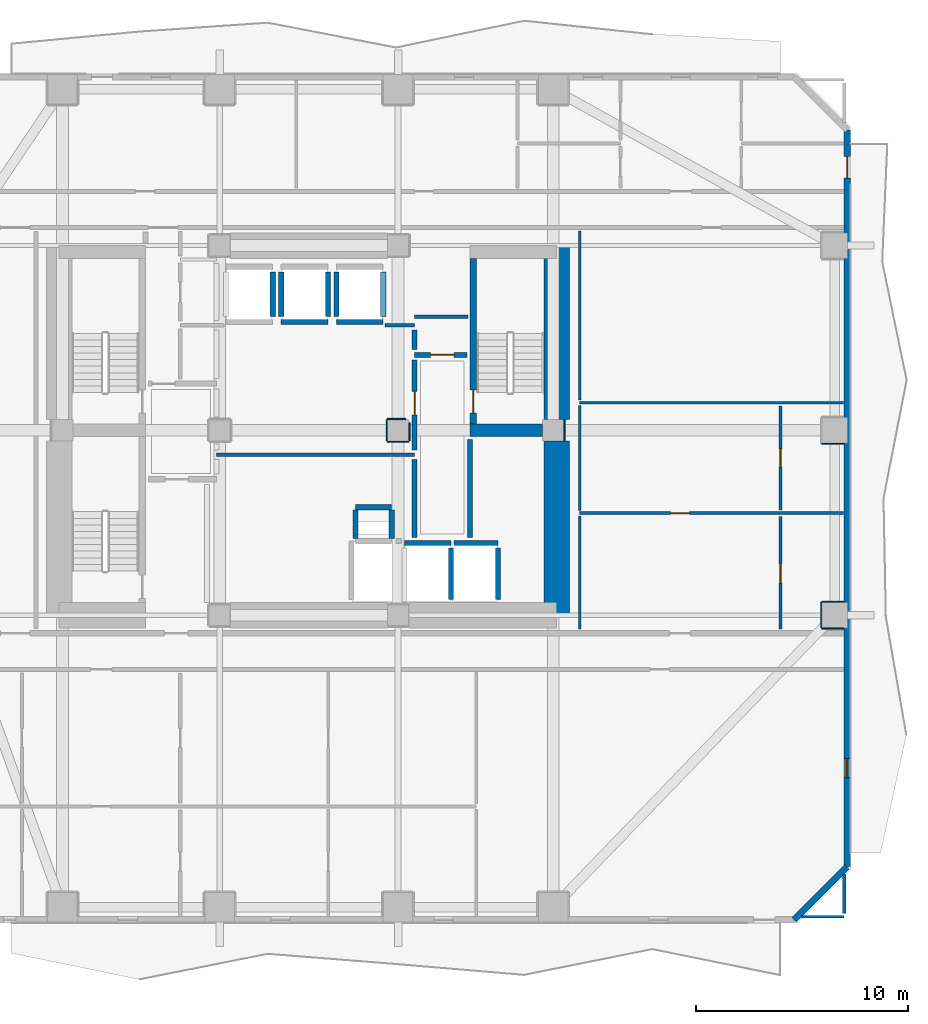
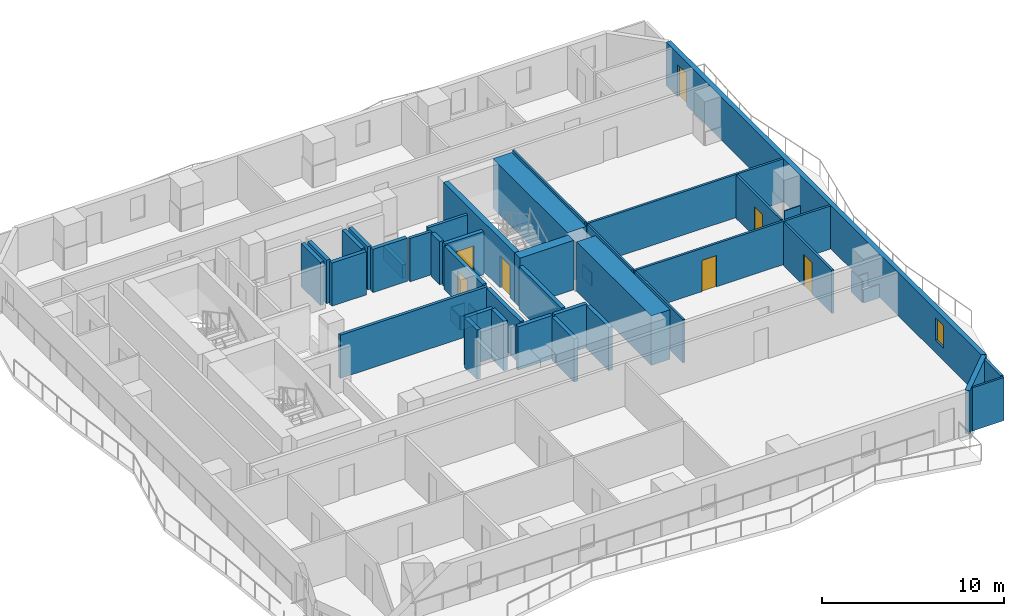
# One storey, part 4 of 9: 46 walls, 7 doors, 1 window, 8 openings.
"""IFC4 building model written with IfcOpenShell, lengths in metres."""

from ifc_helpers import new_model, si_unit, direction, frame, frame_2d, origin, place, context, subcontext, project, spatial, rectangle, extrude, material, layer, layer_set, type_object, element, fill, save


model = new_model("IFC4")

# Units and contexts
model_context = context("Model", 3, precision=1e-05, world=origin(), true_north=direction((0.0, 1.0)))
body_context = subcontext(model_context, "Body", "Model", "MODEL_VIEW")
ifc_project = project(units=[si_unit("LENGTHUNIT", "METRE"), si_unit("AREAUNIT", "SQUARE_METRE"), si_unit("VOLUMEUNIT", "CUBIC_METRE"), si_unit("PLANEANGLEUNIT", "RADIAN"), si_unit("MASSUNIT", "GRAM", prefix="KILO")], contexts=[model_context])

# Site, building, storey
site_placement = place(None, origin())
site = spatial("IfcSite", under=ifc_project, at=site_placement, CompositionType="ELEMENT")
building_placement = place(site_placement, origin())
building = spatial("IfcBuilding", under=site, at=building_placement, Name="Solanera Arch Residences", CompositionType="ELEMENT")
storey_placement = place(building_placement, frame((0.0, 0.0, 58.52001953125)))
storey = spatial("IfcBuildingStorey", under=building, at=storey_placement, Name="L16", CompositionType="ELEMENT", Elevation=58.52001953125)

# Walls
ifc_material_1 = material(Name="Fire-Rated Gypsum Stud Partition", Category="gypsum")
ifc_layer_1 = layer(ifc_material_1, 0.06005859375)
ifc_layer_set_1 = layer_set([ifc_layer_1], Name="Fire-Rated Gypsum Stud Partition")
wall_type_1 = type_object("IfcWallType", Name="Column Acoustic Furring Wall 60", PredefinedType="PARTITIONING", material=ifc_layer_set_1)
wall_1_placement = place(storey_placement, frame((37.031982421875, 30.2099609375, 0.0), z_axis=(0.0, 0.0, 1.0), x_axis=(0.0, 1.0, 0.0)))
element("IfcWall", 1, at=wall_1_placement, inside=storey, type_object=wall_type_1, Name="L16 Column Furring 6E", PredefinedType="PARTITIONING", context=body_context, shape_type="SweptSolid", body=[
    extrude(rectangle(XDim=0.97998046875, YDim=0.06005859375, at=frame_2d((0.489990234375, 0.0))), origin(), (0.0, 0.0, 1.0), 0.905029296875),
])
wall_2_placement = place(storey_placement, frame((28.699951171875, 30.16796875, 0.0), z_axis=(0.0, 0.0, 1.0), x_axis=(1.0, 0.0, 0.0)))
element("IfcWall", 2, at=wall_2_placement, inside=storey, type_object=wall_type_1, Name="L16 Column Furring 8S", PredefinedType="PARTITIONING", context=body_context, shape_type="SweptSolid", body=[
    extrude(rectangle(XDim=1.0, YDim=0.06005859375, at=frame_2d((0.5, 0.0))), origin(), (0.0, 0.0, 1.0), 0.905029296875),
])
wall_3_placement = place(storey_placement, frame((28.699951171875, 31.23193359375, 0.0), z_axis=(0.0, 0.0, 1.0), x_axis=(1.0, 0.0, 0.0)))
element("IfcWall", 3, at=wall_3_placement, inside=storey, type_object=wall_type_1, Name="L16 Column Furring 8N", PredefinedType="PARTITIONING", context=body_context, shape_type="SweptSolid", body=[
    extrude(rectangle(XDim=0.87109375, YDim=0.06005859375, at=frame_2d((0.435546875, 0.0))), origin(), (0.0, 0.0, 1.0), 0.905029296875),
])
wall_4_placement = place(storey_placement, frame((28.66796875, 30.199951171875, 0.0), z_axis=(0.0, 0.0, 1.0), x_axis=(0.0, 1.0, 0.0)))
element("IfcWall", 4, at=wall_4_placement, inside=storey, type_object=wall_type_1, Name="L16 Column Furring 8W", PredefinedType="PARTITIONING", context=body_context, shape_type="SweptSolid", body=[
    extrude(rectangle(XDim=1.0, YDim=0.06005859375, at=frame_2d((0.5, 0.0))), origin(), (0.0, 0.0, 1.0), 0.905029296875),
])
wall_5_placement = place(storey_placement, frame((29.73193359375, 30.199951171875, 0.0), z_axis=(0.0, 0.0, 1.0), x_axis=(0.0, 1.0, 0.0)))
element("IfcWall", 5, at=wall_5_placement, inside=storey, type_object=wall_type_1, Name="L16 Column Furring 8E", PredefinedType="PARTITIONING", context=body_context, shape_type="SweptSolid", body=[
    extrude(rectangle(XDim=0.85205078125, YDim=0.06005859375, at=frame_2d((0.426025390625, 0.0))), origin(), (0.0, 0.0, 1.0), 0.905029296875),
])
for number, where, z_axis, x_axis, name in (
    (6, (49.14990234375, 21.367919921875, 0.0), (0.0, 0.0, 1.0), (1.0, 0.0, 0.0), "L16 Column Furring 18S"),
    (7, (49.14990234375, 22.632080078125, 0.0), (0.0, 0.0, 1.0), (1.0, 0.0, 0.0), "L16 Column Furring 18N"),
):
    element("IfcWall", number, at=place(storey_placement, frame(where, z_axis=z_axis, x_axis=x_axis)), inside=storey, type_object=wall_type_1, Name=name, PredefinedType="PARTITIONING", context=body_context, shape_type="SweptSolid", body=[
        extrude(rectangle(XDim=1.02001953125, YDim=0.06005859375, at=frame_2d((0.510009765625, 0.0))), origin(), (0.0, 0.0, 1.0), 0.905029296875),
    ])
wall_6_placement = place(storey_placement, frame((49.117919921875, 21.39990234375, 0.0), z_axis=(0.0, 0.0, 1.0), x_axis=(0.0, 1.0, 0.0)))
element("IfcWall", 8, at=wall_6_placement, inside=storey, type_object=wall_type_1, Name="L16 Column Furring 18W", PredefinedType="PARTITIONING", context=body_context, shape_type="SweptSolid", body=[
    extrude(rectangle(XDim=1.2001953125, YDim=0.06005859375, at=frame_2d((0.60009765625, 0.0))), origin(), (0.0, 0.0, 1.0), 1.449951171875),
])
wall_7_placement = place(storey_placement, frame((49.14990234375, 30.068115234375, 0.0), z_axis=(0.0, 0.0, 1.0), x_axis=(1.0, 0.0, 0.0)))
element("IfcWall", 9, at=wall_7_placement, inside=storey, type_object=wall_type_1, Name="L16 Column Furring 20S", PredefinedType="PARTITIONING", context=body_context, shape_type="SweptSolid", body=[
    extrude(rectangle(XDim=1.02001953125, YDim=0.06005859375, at=frame_2d((0.510009765625, 0.0))), origin(), (0.0, 0.0, 1.0), 0.905029296875),
])
ifc_material_2 = material(Name="Concrete C55/67 (f'c = 60 MPa)", Category="concrete")
ifc_layer_2 = layer(ifc_material_2, 1.199951171875)
ifc_layer_set_2 = layer_set([ifc_layer_2], Name="Concrete C55/67 (f'c = 60 MPa)")
wall_type_2 = type_object("IfcWallType", Name="Core Shear Wall CW-1200", PredefinedType="SHEAR", material=ifc_layer_set_2)
wall_8_placement = place(storey_placement, frame((36.659912109375, 22.0, 0.0), z_axis=(0.0, 0.0, 1.0), x_axis=(0.0, 1.0, 0.0)))
element("IfcWall", 10, at=wall_8_placement, inside=storey, type_object=wall_type_2, Name="L16 East Core South Shear Wall", PredefinedType="SHEAR", context=body_context, shape_type="SweptSolid", body=[
    extrude(rectangle(XDim=8.195068359375, YDim=1.199951171875, at=frame_2d((4.09765625, 0.0))), origin(), (0.0, 0.0, 1.0), 3.320068359375),
])
wall_9_placement = place(storey_placement, frame((36.659912109375, 31.205078125, 0.0), z_axis=(0.0, 0.0, 1.0), x_axis=(0.0, 1.0, 0.0)))
element("IfcWall", 11, at=wall_9_placement, inside=storey, type_object=wall_type_2, Name="L16 East Core North Shear Wall", PredefinedType="SHEAR", context=body_context, shape_type="SweptSolid", body=[
    extrude(rectangle(XDim=8.19482421875, YDim=1.199951171875, at=frame_2d((4.097412109375, 0.0))), origin(), (0.0, 0.0, 1.0), 3.320068359375),
])

# Wall, opening, door
ifc_material_3 = material(Name="Concrete C40/50 (f'c = 45 MPa)", Category="concrete")
ifc_layer_3 = layer(ifc_material_3, 0.320068359375)
ifc_layer_set_3 = layer_set([ifc_layer_3], Name="Concrete C40/50 (f'c = 45 MPa)")
wall_type_3 = type_object("IfcWallType", Name="Core Shear Wall CW-320", PredefinedType="SHEAR", material=ifc_layer_set_3)
wall_10_placement = place(storey_placement, frame((32.739990234375, 31.0, 0.0), z_axis=(0.0, 0.0, 1.0), x_axis=(0.0, 1.0, 0.0)))
wall_10 = element("IfcWall", 12, at=wall_10_placement, inside=storey, type_object=wall_type_3, Name="L16 Stair ST-T2 West Shear Wall", PredefinedType="SHEAR", context=body_context, shape_type="SweptSolid", body=[
    extrude(rectangle(XDim=7.800048828125, YDim=0.320068359375, at=frame_2d((3.89990234375, 0.0))), origin(), (0.0, 0.0, 1.0), 3.320068359375),
])
opening_1_placement = place(wall_10_placement, frame((0.510009765625, 0.0, 0.0)))
opening_1 = element("IfcOpeningElement", 13, at=opening_1_placement, cuts=wall_10, Name="Opening DF-01", PredefinedType="OPENING", context=body_context, shape_type="SweptSolid", body=[
    extrude(rectangle(XDim=1.10009765625, YDim=2.14990234375, at=frame_2d((0.550048828125, 1.074951171875))), frame((0.0, 0.169921875, 0.0), z_axis=(0.0, -1.0, 0.0), x_axis=(1.0, 0.0, 0.0)), (0.0, 0.0, 1.0), 0.3401),
])
ifc_material_4 = material(Name="Fire-Rated Architectural Hardwood", Category="wood")
door_type_1 = type_object("IfcDoorType", Name="Stair Exit Fire Door DF-01", OperationType="NOTDEFINED", PredefinedType="DOOR", material=ifc_material_4)
door_1_placement = place(opening_1_placement, origin())
door_1 = element("IfcDoor", 14, at=door_1_placement, inside=storey, type_object=door_type_1, Name="DR-L16-STAIR-ST-T2", OperationType="SINGLE_SWING_LEFT", OverallHeight=2.14990234375, OverallWidth=1.10009765625, PredefinedType="DOOR", context=body_context, shape_type="SweptSolid", body=[
    extrude(rectangle(XDim=1.10009765625, YDim=2.14990234375, at=frame_2d((0.550048828125, 1.074951171875))), frame((0.0, 0.02490234375, 0.0), z_axis=(0.0, -1.0, 0.0), x_axis=(1.0, 0.0, 0.0)), (0.0, 0.0, 1.0), 0.050048828125),
])
fill(opening_1, door_1)

# Walls
ifc_material_5 = material(Name="Concrete C40/50 (f'c = 45 MPa)", Category="concrete")
ifc_layer_4 = layer(ifc_material_5, 0.60009765625)
ifc_layer_set_4 = layer_set([ifc_layer_4], Name="Concrete C40/50 (f'c = 45 MPa)")
wall_type_4 = type_object("IfcWallType", Name="Core Shear Wall CW-600", PredefinedType="SHEAR", material=ifc_layer_set_4)
wall_11_placement = place(storey_placement, frame((32.580078125, 30.699951171875, 0.0), z_axis=(0.0, 0.0, 1.0), x_axis=(1.0, 0.0, 0.0)))
element("IfcWall", 15, at=wall_11_placement, inside=storey, type_object=wall_type_4, Name="L16 East Stair Far-Landing Shear Wall", PredefinedType="SHEAR", context=body_context, shape_type="SweptSolid", body=[
    extrude(rectangle(XDim=3.4150390625, YDim=0.60009765625, at=frame_2d((1.70751953125, 0.0))), origin(), (0.0, 0.0, 1.0), 3.320068359375),
])
ifc_material_6 = material(Name="Autoclaved Aerated Concrete Blockwork", Category="masonry")
ifc_layer_5 = layer(ifc_material_6, 0.179931640625)
ifc_layer_set_5 = layer_set([ifc_layer_5], Name="Autoclaved Aerated Concrete Blockwork")
wall_type_5 = type_object("IfcWallType", Name="Corridor Fire Partition 180", PredefinedType="PARTITIONING", material=ifc_layer_set_5)
wall_12_placement = place(storey_placement, frame((20.64990234375, 29.550048828125, 0.0), z_axis=(0.0, 0.0, 1.0), x_axis=(1.0, 0.0, 0.0)))
element("IfcWall", 16, at=wall_12_placement, inside=storey, type_object=wall_type_5, Name="L16 Interior Partition H7", PredefinedType="PARTITIONING", context=body_context, shape_type="SweptSolid", body=[
    extrude(rectangle(XDim=9.3251953125, YDim=0.179931640625, at=frame_2d((4.66259765625, 0.0))), origin(), (0.0, 0.0, 1.0), 2.89990234375),
])
wall_13_placement = place(storey_placement, frame((28.593017578125, 35.64990234375, 0.0), z_axis=(0.0, 0.0, 1.0), x_axis=(1.0, 0.0, 0.0)))
element("IfcWall", 17, at=wall_13_placement, inside=storey, type_object=wall_type_5, Name="L16 Interior Partition H8 2", PredefinedType="PARTITIONING", context=body_context, shape_type="SweptSolid", body=[
    extrude(rectangle(XDim=1.382080078125, YDim=0.179931640625, at=frame_2d((0.69091796875, 0.0))), origin(), (0.0, 0.0, 1.0), 2.89990234375),
])
wall_14_placement = place(storey_placement, frame((29.97509765625, 36.050048828125, 0.0), z_axis=(0.0, 0.0, 1.0), x_axis=(1.0, 0.0, 0.0)))
element("IfcWall", 18, at=wall_14_placement, inside=storey, type_object=wall_type_5, Name="L16 Interior Partition H9", PredefinedType="PARTITIONING", context=body_context, shape_type="SweptSolid", body=[
    extrude(rectangle(XDim=2.5048828125, YDim=0.179931640625, at=frame_2d((1.25244140625, 0.0))), origin(), (0.0, 0.0, 1.0), 2.89990234375),
])
wall_15_placement = place(storey_placement, frame((50.199951171875, 7.9580078125, 0.0), z_axis=(0.0, 0.0, 1.0), x_axis=(0.0, 1.0, 0.0)))
element("IfcWall", 19, at=wall_15_placement, inside=storey, type_object=wall_type_5, Name="L16 Interior Partition V10 1", PredefinedType="PARTITIONING", context=body_context, shape_type="SweptSolid", body=[
    extrude(rectangle(XDim=1.843017578125, YDim=0.179931640625, at=frame_2d((0.92138671875, 0.0))), origin(), (0.0, 0.0, 1.0), 2.89990234375),
])

# Wall, openings, door, window
ifc_material_7 = material(Name="Precast Concrete C35/45", Category="concrete")
ifc_layer_6 = layer(ifc_material_7, 0.300048828125)
ifc_layer_set_6 = layer_set([ifc_layer_6], Name="Precast Concrete C35/45")
wall_type_6 = type_object("IfcWallType", Name="Exterior Wall Precast Masonry-Frame 300", PredefinedType="STANDARD", material=ifc_layer_set_6)
wall_16_placement = place(storey_placement, frame((50.3349609375, 44.8349609375, 0.0), z_axis=(0.0, 0.0, 1.0), x_axis=(0.0, -1.0, 0.0)))
wall_16 = element("IfcWall", 20, at=wall_16_placement, inside=storey, type_object=wall_type_6, Name="L16 Tower Exterior Precast Masonry-Frame Wall E", PredefinedType="STANDARD", context=body_context, shape_type="SweptSolid", body=[
    extrude(rectangle(XDim=34.669921875, YDim=0.300048828125, at=frame_2d((17.3349609375, 0.0))), origin(), (0.0, 0.0, 1.0), 2.89990234375),
])
opening_2_placement = place(wall_16_placement, frame((1.2509765625, 0.0, 0.0)))
opening_2 = element("IfcOpeningElement", 21, at=opening_2_placement, cuts=wall_16, Name="Opening DB-01", PredefinedType="OPENING", context=body_context, shape_type="SweptSolid", body=[
    extrude(rectangle(XDim=1.0, YDim=2.14990234375, at=frame_2d((0.5, 1.074951171875))), frame((0.0, 0.159912109375, 0.0), z_axis=(0.0, -1.0, 0.0), x_axis=(1.0, 0.0, 0.0)), (0.0, 0.0, 1.0), 0.32),
])
opening_3_placement = place(wall_16_placement, frame((29.58203125, 0.0, 0.85009765625)))
opening_3 = element("IfcOpeningElement", 22, at=opening_3_placement, cuts=wall_16, Name="Opening W-06", PredefinedType="OPENING", context=body_context, shape_type="SweptSolid", body=[
    extrude(rectangle(XDim=0.89990234375, YDim=1.5, at=frame_2d((0.449951171875, 0.75))), frame((0.0, 0.159912109375, 0.0), z_axis=(0.0, -1.0, 0.0), x_axis=(1.0, 0.0, 0.0)), (0.0, 0.0, 1.0), 0.32),
])
ifc_material_8 = material(Name="Anodised Aluminium Alloy 6063-T6", Category="aluminium")
door_type_2 = type_object("IfcDoorType", Name="Glazed Balcony Swing Door DB-01", OperationType="NOTDEFINED", PredefinedType="DOOR", material=ifc_material_8)
door_2_placement = place(opening_2_placement, origin())
door_2 = element("IfcDoor", 23, at=door_2_placement, inside=storey, type_object=door_type_2, Name="DR-L16-OUT-03", OperationType="SINGLE_SWING_RIGHT", OverallHeight=2.14990234375, OverallWidth=1.0, PredefinedType="DOOR", context=body_context, shape_type="SweptSolid", body=[
    extrude(rectangle(XDim=1.0, YDim=2.14990234375, at=frame_2d((0.5, 1.074951171875))), frame((0.0, 0.02490234375, 0.0), z_axis=(0.0, -1.0, 0.0), x_axis=(1.0, 0.0, 0.0)), (0.0, 0.0, 1.0), 0.050048828125),
])
fill(opening_2, door_2)
ifc_material_9 = material(Name="Double Glazed Low-E Laminated Glass", Category="glass")
window_type = type_object("IfcWindowType", Name="Punched Window W-06", PartitioningType="SINGLE_PANEL", PredefinedType="WINDOW", material=ifc_material_9)
window_placement = place(opening_3_placement, origin())
window = element("IfcWindow", 24, at=window_placement, inside=storey, type_object=window_type, Name="L16 AMN-LNG Punched Window", OverallHeight=1.5, OverallWidth=0.89990234375, PartitioningType="SINGLE_PANEL", PredefinedType="WINDOW", context=body_context, shape_type="SweptSolid", body=[
    extrude(rectangle(XDim=0.89990234375, YDim=1.5, at=frame_2d((0.449951171875, 0.75))), frame((0.0, 0.030029296875, 0.0), z_axis=(0.0, -1.0, 0.0), x_axis=(1.0, 0.0, 0.0)), (0.0, 0.0, 1.0), 0.06005859375),
])
fill(opening_3, window)

# Walls
wall_17_placement = place(storey_placement, frame((50.3349609375, 10.1650390625, 0.0), z_axis=(0.0, 0.0, 1.0), x_axis=(-0.707106781187, -0.707106781187, 0.0)))
element("IfcWall", 25, at=wall_17_placement, inside=storey, type_object=wall_type_6, Name="L16 Tower Exterior Precast Masonry-Frame Wall CH5", PredefinedType="STANDARD", context=body_context, shape_type="SweptSolid", body=[
    extrude(rectangle(XDim=3.53564453125, YDim=0.300048828125, at=frame_2d((1.767822265625, 0.0))), origin(), (0.0, 0.0, 1.0), 2.89990234375),
])
ifc_material_10 = material(Name="Concrete C40/50 (f'c = 45 MPa)", Category="concrete")
ifc_layer_7 = layer(ifc_material_10, 0.239990234375)
ifc_layer_set_7 = layer_set([ifc_layer_7], Name="Concrete C40/50 (f'c = 45 MPa)")
wall_type_7 = type_object("IfcWallType", Name="Ramp Bearing Shear Wall RW-240", PredefinedType="SHEAR", material=ifc_layer_set_7)
wall_18_placement = place(storey_placement, frame((27.199951171875, 27.080078125, 0.0), z_axis=(0.0, 0.0, 1.0), x_axis=(1.0, 0.0, 0.0)))
element("IfcWall", 26, at=wall_18_placement, inside=storey, type_object=wall_type_7, Name="L16 Core MEP Riser North Shaft Wall", PredefinedType="SHEAR", context=body_context, shape_type="SweptSolid", body=[
    extrude(rectangle(XDim=1.699951171875, YDim=0.239990234375, at=frame_2d((0.85009765625, 0.0))), origin(), (0.0, 0.0, 1.0), 3.320068359375),
])
for number, where, z_axis, x_axis, name in (
    (27, (27.199951171875, 25.60009765625, 0.0), (0.0, 0.0, 1.0), (0.0, 1.0, 0.0), "L16 Core MEP Riser West Shaft Wall"),
    (28, (28.89990234375, 25.60009765625, 0.0), (0.0, 0.0, 1.0), (0.0, 1.0, 0.0), "L16 Core MEP Riser East Shaft Wall"),
):
    element("IfcWall", number, at=place(storey_placement, frame(where, z_axis=z_axis, x_axis=x_axis)), inside=storey, type_object=wall_type_7, Name=name, PredefinedType="SHEAR", context=body_context, shape_type="SweptSolid", body=[
        extrude(rectangle(XDim=1.35986328125, YDim=0.239990234375, at=frame_2d((0.679931640625, 0.0))), origin(), (0.0, 0.0, 1.0), 3.320068359375),
    ])
ifc_material_11 = material(Name="Autoclaved Aerated Concrete Blockwork", Category="masonry")
ifc_layer_8 = layer(ifc_material_11, 0.239990234375)
ifc_layer_set_8 = layer_set([ifc_layer_8], Name="Autoclaved Aerated Concrete Blockwork")
wall_type_8 = type_object("IfcWallType", Name="Shaft Wall Fire-Rated 240", PredefinedType="PARTITIONING", material=ifc_layer_set_8)
wall_19_placement = place(storey_placement, frame((23.300048828125, 36.048095703125, 0.0), z_axis=(0.0, 0.0, 1.0), x_axis=(0.0, 1.0, 0.0)))
element("IfcWall", 29, at=wall_19_placement, inside=storey, type_object=wall_type_8, Name="L16 Lift PL-L1 Hoistway Wall E", PredefinedType="PARTITIONING", context=body_context, shape_type="SweptSolid", body=[
    extrude(rectangle(XDim=2.10400390625, YDim=0.239990234375, at=frame_2d((1.052001953125, 0.0))), origin(), (0.0, 0.0, 1.0), 2.89990234375),
])
wall_20_placement = place(storey_placement, frame((23.699951171875, 35.800048828125, 0.0), z_axis=(0.0, 0.0, 1.0), x_axis=(1.0, 0.0, 0.0)))
element("IfcWall", 30, at=wall_20_placement, inside=storey, type_object=wall_type_8, Name="L16 Lift PL-L2 Hoistway Wall S", PredefinedType="PARTITIONING", context=body_context, shape_type="SweptSolid", body=[
    extrude(rectangle(XDim=2.199951171875, YDim=0.239990234375, at=frame_2d((1.10009765625, 0.0))), origin(), (0.0, 0.0, 1.0), 2.89990234375),
])
for number, where, z_axis, x_axis, name in (
    (31, (23.699951171875, 36.048095703125, 0.0), (0.0, 0.0, 1.0), (0.0, 1.0, 0.0), "L16 Lift PL-L2 Hoistway Wall W"),
    (32, (25.89990234375, 36.048095703125, 0.0), (0.0, 0.0, 1.0), (0.0, 1.0, 0.0), "L16 Lift PL-L2 Hoistway Wall E"),
):
    element("IfcWall", number, at=place(storey_placement, frame(where, z_axis=z_axis, x_axis=x_axis)), inside=storey, type_object=wall_type_8, Name=name, PredefinedType="PARTITIONING", context=body_context, shape_type="SweptSolid", body=[
        extrude(rectangle(XDim=2.10400390625, YDim=0.239990234375, at=frame_2d((1.052001953125, 0.0))), origin(), (0.0, 0.0, 1.0), 2.89990234375),
    ])
wall_21_placement = place(storey_placement, frame((26.300048828125, 35.800048828125, 0.0), z_axis=(0.0, 0.0, 1.0), x_axis=(1.0, 0.0, 0.0)))
element("IfcWall", 33, at=wall_21_placement, inside=storey, type_object=wall_type_8, Name="L16 Lift PL-L3 Hoistway Wall S", PredefinedType="PARTITIONING", context=body_context, shape_type="SweptSolid", body=[
    extrude(rectangle(XDim=2.199951171875, YDim=0.239990234375, at=frame_2d((1.10009765625, 0.0))), origin(), (0.0, 0.0, 1.0), 2.89990234375),
])
wall_22_placement = place(storey_placement, frame((26.300048828125, 36.048095703125, 0.0), z_axis=(0.0, 0.0, 1.0), x_axis=(0.0, 1.0, 0.0)))
element("IfcWall", 34, at=wall_22_placement, inside=storey, type_object=wall_type_8, Name="L16 Lift PL-L3 Hoistway Wall W", PredefinedType="PARTITIONING", context=body_context, shape_type="SweptSolid", body=[
    extrude(rectangle(XDim=2.10400390625, YDim=0.239990234375, at=frame_2d((1.052001953125, 0.0))), origin(), (0.0, 0.0, 1.0), 2.89990234375),
])
wall_23_placement = place(storey_placement, frame((28.5, 36.048095703125, 0.0), z_axis=(0.0, 0.0, 1.0), x_axis=(0.0, 1.0, 0.0)))
element("IfcWall", 35, at=wall_23_placement, inside=storey, type_object=wall_type_8, Name="L16 Lift PL-L3 Hoistway Wall E", PredefinedType="PARTITIONING", context=body_context, shape_type="SweptSolid", body=[
    extrude(rectangle(XDim=2.10400390625, YDim=0.239990234375, at=frame_2d((1.052001953125, 0.0))), origin(), (0.0, 0.0, 1.0), 0.905029296875),
])
wall_24_placement = place(storey_placement, frame((29.5, 25.39990234375, 0.0), z_axis=(0.0, 0.0, 1.0), x_axis=(1.0, 0.0, 0.0)))
element("IfcWall", 36, at=wall_24_placement, inside=storey, type_object=wall_type_8, Name="L16 Lift FFL-1 Hoistway Wall N", PredefinedType="PARTITIONING", context=body_context, shape_type="SweptSolid", body=[
    extrude(rectangle(XDim=2.199951171875, YDim=0.239990234375, at=frame_2d((1.10009765625, 0.0))), origin(), (0.0, 0.0, 1.0), 2.89990234375),
])
wall_25_placement = place(storey_placement, frame((31.699951171875, 22.72998046875, 0.0), z_axis=(0.0, 0.0, 1.0), x_axis=(0.0, 1.0, 0.0)))
element("IfcWall", 37, at=wall_25_placement, inside=storey, type_object=wall_type_8, Name="L16 Lift FFL-1 Hoistway Wall E", PredefinedType="PARTITIONING", context=body_context, shape_type="SweptSolid", body=[
    extrude(rectangle(XDim=2.422119140625, YDim=0.239990234375, at=frame_2d((1.2109375, 0.0))), origin(), (0.0, 0.0, 1.0), 2.89990234375),
])
wall_26_placement = place(storey_placement, frame((31.827880859375, 25.39990234375, 0.0), z_axis=(0.0, 0.0, 1.0), x_axis=(1.0, 0.0, 0.0)))
element("IfcWall", 38, at=wall_26_placement, inside=storey, type_object=wall_type_8, Name="L16 Lift FFL-2 Hoistway Wall N", PredefinedType="PARTITIONING", context=body_context, shape_type="SweptSolid", body=[
    extrude(rectangle(XDim=2.072021484375, YDim=0.239990234375, at=frame_2d((1.0361328125, 0.0))), origin(), (0.0, 0.0, 1.0), 2.89990234375),
])
wall_27_placement = place(storey_placement, frame((33.89990234375, 22.72998046875, 0.0), z_axis=(0.0, 0.0, 1.0), x_axis=(0.0, 1.0, 0.0)))
element("IfcWall", 39, at=wall_27_placement, inside=storey, type_object=wall_type_8, Name="L16 Lift FFL-2 Hoistway Wall E", PredefinedType="PARTITIONING", context=body_context, shape_type="SweptSolid", body=[
    extrude(rectangle(XDim=2.422119140625, YDim=0.239990234375, at=frame_2d((1.2109375, 0.0))), origin(), (0.0, 0.0, 1.0), 2.89990234375),
])

# Wall, opening, door
wall_28_placement = place(storey_placement, frame((29.97509765625, 34.25, 0.0), z_axis=(0.0, 0.0, 1.0), x_axis=(1.0, 0.0, 0.0)))
wall_28 = element("IfcWall", 40, at=wall_28_placement, inside=storey, type_object=wall_type_8, Name="L16 Interior Partition H5", PredefinedType="PARTITIONING", context=body_context, shape_type="SweptSolid", body=[
    extrude(rectangle(XDim=2.474853515625, YDim=0.239990234375, at=frame_2d((1.2373046875, 0.0))), origin(), (0.0, 0.0, 1.0), 2.89990234375),
])
opening_4_placement = place(wall_28_placement, frame((0.751953125, 0.0, 0.0)))
opening_4 = element("IfcOpeningElement", 41, at=opening_4_placement, cuts=wall_28, Name="Opening DF-02", PredefinedType="OPENING", context=body_context, shape_type="SweptSolid", body=[
    extrude(rectangle(XDim=1.10009765625, YDim=2.14990234375, at=frame_2d((0.550048828125, 1.074951171875))), frame((0.0, 0.1298828125, 0.0), z_axis=(0.0, -1.0, 0.0), x_axis=(1.0, 0.0, 0.0)), (0.0, 0.0, 1.0), 0.26),
])
ifc_material_12 = material(Name="Fire-Rated Architectural Hardwood", Category="wood")
door_type_3 = type_object("IfcDoorType", Name="Firefighting Lobby Fire Door DF-02", OperationType="NOTDEFINED", PredefinedType="DOOR", material=ifc_material_12)
door_3_placement = place(opening_4_placement, origin())
door_3 = element("IfcDoor", 42, at=door_3_placement, inside=storey, type_object=door_type_3, Name="DR-L16-IN-007", OperationType="SINGLE_SWING_RIGHT", OverallHeight=2.14990234375, OverallWidth=1.10009765625, PredefinedType="DOOR", context=body_context, shape_type="SweptSolid", body=[
    extrude(rectangle(XDim=1.10009765625, YDim=2.14990234375, at=frame_2d((0.550048828125, 1.074951171875))), frame((0.0, 0.02490234375, 0.0), z_axis=(0.0, -1.0, 0.0), x_axis=(1.0, 0.0, 0.0)), (0.0, 0.0, 1.0), 0.050048828125),
])
fill(opening_4, door_3)

# Wall
wall_29_placement = place(storey_placement, frame((29.97509765625, 25.64794921875, 0.0), z_axis=(0.0, 0.0, 1.0), x_axis=(0.0, 1.0, 0.0)))
element("IfcWall", 43, at=wall_29_placement, inside=storey, type_object=wall_type_8, Name="L16 Interior Partition V4 1", PredefinedType="PARTITIONING", context=body_context, shape_type="SweptSolid", body=[
    extrude(rectangle(XDim=3.68408203125, YDim=0.239990234375, at=frame_2d((1.842041015625, 0.0))), origin(), (0.0, 0.0, 1.0), 2.89990234375),
])

# Wall, opening, door
wall_30_placement = place(storey_placement, frame((29.97509765625, 29.76806640625, 0.0), z_axis=(0.0, 0.0, 1.0), x_axis=(0.0, 1.0, 0.0)))
wall_30 = element("IfcWall", 44, at=wall_30_placement, inside=storey, type_object=wall_type_8, Name="L16 Interior Partition V4 2", PredefinedType="PARTITIONING", context=body_context, shape_type="SweptSolid", body=[
    extrude(rectangle(XDim=4.23388671875, YDim=0.239990234375, at=frame_2d((2.116943359375, 0.0))), origin(), (0.0, 0.0, 1.0), 2.89990234375),
])
opening_5_placement = place(wall_30_placement, frame((1.662109375, 0.0, 0.0)))
opening_5 = element("IfcOpeningElement", 45, at=opening_5_placement, cuts=wall_30, Name="Opening DF-02", PredefinedType="OPENING", context=body_context, shape_type="SweptSolid", body=[
    extrude(rectangle(XDim=1.10009765625, YDim=2.14990234375, at=frame_2d((0.550048828125, 1.074951171875))), frame((0.0, 0.1298828125, 0.0), z_axis=(0.0, -1.0, 0.0), x_axis=(1.0, 0.0, 0.0)), (0.0, 0.0, 1.0), 0.26),
])
door_4_placement = place(opening_5_placement, origin())
door_4 = element("IfcDoor", 46, at=door_4_placement, inside=storey, type_object=door_type_3, Name="DR-L16-IN-006", OperationType="SINGLE_SWING_LEFT", OverallHeight=2.14990234375, OverallWidth=1.10009765625, PredefinedType="DOOR", context=body_context, shape_type="SweptSolid", body=[
    extrude(rectangle(XDim=1.10009765625, YDim=2.14990234375, at=frame_2d((0.550048828125, 1.074951171875))), frame((0.0, 0.02490234375, 0.0), z_axis=(0.0, -1.0, 0.0), x_axis=(1.0, 0.0, 0.0)), (0.0, 0.0, 1.0), 0.050048828125),
])
fill(opening_5, door_4)

# Walls
wall_31_placement = place(storey_placement, frame((29.97509765625, 34.498046875, 0.0), z_axis=(0.0, 0.0, 1.0), x_axis=(0.0, 1.0, 0.0)))
element("IfcWall", 47, at=wall_31_placement, inside=storey, type_object=wall_type_8, Name="L16 Interior Partition V4 3", PredefinedType="PARTITIONING", context=body_context, shape_type="SweptSolid", body=[
    extrude(rectangle(XDim=0.933837890625, YDim=0.239990234375, at=frame_2d((0.466796875, 0.0))), origin(), (0.0, 0.0, 1.0), 2.89990234375),
])
wall_32_placement = place(storey_placement, frame((32.580078125, 25.64794921875, 0.0), z_axis=(0.0, 0.0, 1.0), x_axis=(0.0, 1.0, 0.0)))
element("IfcWall", 48, at=wall_32_placement, inside=storey, type_object=wall_type_8, Name="L16 Interior Partition V5", PredefinedType="PARTITIONING", context=body_context, shape_type="SweptSolid", body=[
    extrude(rectangle(XDim=4.6220703125, YDim=0.239990234375, at=frame_2d((2.31103515625, 0.0))), origin(), (0.0, 0.0, 1.0), 2.89990234375),
])
ifc_material_13 = material(Name="Fire-Rated Gypsum Stud Partition", Category="gypsum")
ifc_layer_9 = layer(ifc_material_13, 0.1201171875)
ifc_layer_set_9 = layer_set([ifc_layer_9], Name="Fire-Rated Gypsum Stud Partition")
wall_type_9 = type_object("IfcWallType", Name="Unit Drywall Partition 120", PredefinedType="PARTITIONING", material=ifc_layer_set_9)
wall_33_placement = place(storey_placement, frame((48.198974609375, 7.800048828125, 0.0), z_axis=(0.0, 0.0, 1.0), x_axis=(1.0, 0.0, 0.0)))
element("IfcWall", 49, at=wall_33_placement, inside=storey, type_object=wall_type_9, Name="L16 Interior Partition H19 2", PredefinedType="PARTITIONING", context=body_context, shape_type="SweptSolid", body=[
    extrude(rectangle(XDim=2.0009765625, YDim=0.1201171875, at=frame_2d((1.00048828125, 0.0))), origin(), (0.0, 0.0, 1.0), 2.89990234375),
])
wall_34_placement = place(storey_placement, frame((37.75, 21.337890625, 0.0), z_axis=(0.0, 0.0, 1.0), x_axis=(0.0, 1.0, 0.0)))
element("IfcWall", 50, at=wall_34_placement, inside=storey, type_object=wall_type_9, Name="L16 Interior Partition V21 1", PredefinedType="PARTITIONING", context=body_context, shape_type="SweptSolid", body=[
    extrude(rectangle(XDim=5.32421875, YDim=0.1201171875, at=frame_2d((2.662109375, 0.0))), origin(), (0.0, 0.0, 1.0), 2.89990234375),
])
wall_35_placement = place(storey_placement, frame((37.75, 26.93798828125, 0.0), z_axis=(0.0, 0.0, 1.0), x_axis=(0.0, 1.0, 0.0)))
element("IfcWall", 51, at=wall_35_placement, inside=storey, type_object=wall_type_9, Name="L16 Interior Partition V21 2", PredefinedType="PARTITIONING", context=body_context, shape_type="SweptSolid", body=[
    extrude(rectangle(XDim=4.924072265625, YDim=0.1201171875, at=frame_2d((2.4619140625, 0.0))), origin(), (0.0, 0.0, 1.0), 2.89990234375),
])
wall_36_placement = place(storey_placement, frame((37.75, 32.137939453125, 0.0), z_axis=(0.0, 0.0, 1.0), x_axis=(0.0, 1.0, 0.0)))
element("IfcWall", 52, at=wall_36_placement, inside=storey, type_object=wall_type_9, Name="L16 Interior Partition V21 3", PredefinedType="PARTITIONING", context=body_context, shape_type="SweptSolid", body=[
    extrude(rectangle(XDim=7.9541015625, YDim=0.1201171875, at=frame_2d((3.97705078125, 0.0))), origin(), (0.0, 0.0, 1.0), 2.89990234375),
])

# Wall, opening, door
ifc_material_14 = material(Name="Autoclaved Aerated Concrete Blockwork", Category="masonry")
ifc_layer_10 = layer(ifc_material_14, 0.139892578125)
ifc_layer_set_10 = layer_set([ifc_layer_10], Name="Autoclaved Aerated Concrete Blockwork")
wall_type_10 = type_object("IfcWallType", Name="Wet-Room Partition 140", PredefinedType="PARTITIONING", material=ifc_layer_set_10)
wall_37_placement = place(storey_placement, frame((37.75, 26.800048828125, 0.0), z_axis=(0.0, 0.0, 1.0), x_axis=(1.0, 0.0, 0.0)))
wall_37 = element("IfcWall", 53, at=wall_37_placement, inside=storey, type_object=wall_type_10, Name="L16 Interior Partition H13", PredefinedType="PARTITIONING", context=body_context, shape_type="SweptSolid", body=[
    extrude(rectangle(XDim=12.423095703125, YDim=0.139892578125, at=frame_2d((6.21142578125, 0.0))), origin(), (0.0, 0.0, 1.0), 2.89990234375),
])
opening_6_placement = place(wall_37_placement, frame((4.27490234375, 0.0, 0.0)))
opening_6 = element("IfcOpeningElement", 54, at=opening_6_placement, cuts=wall_37, Name="Opening DI-02", PredefinedType="OPENING", context=body_context, shape_type="SweptSolid", body=[
    extrude(rectangle(XDim=0.89990234375, YDim=2.10009765625, at=frame_2d((0.449951171875, 1.050048828125))), frame((0.0, 0.079833984375, 0.0), z_axis=(0.0, -1.0, 0.0), x_axis=(1.0, 0.0, 0.0)), (0.0, 0.0, 1.0), 0.1599),
])
ifc_material_15 = material(Name="Fire-Rated Architectural Hardwood", Category="wood")
door_type_4 = type_object("IfcDoorType", Name="Suite Room Swing Door DI-02", OperationType="NOTDEFINED", PredefinedType="DOOR", material=ifc_material_15)
door_5_placement = place(opening_6_placement, origin())
door_5 = element("IfcDoor", 55, at=door_5_placement, inside=storey, type_object=door_type_4, Name="DR-L16-IN-032", OperationType="SINGLE_SWING_LEFT", OverallHeight=2.10009765625, OverallWidth=0.89990234375, PredefinedType="DOOR", context=body_context, shape_type="SweptSolid", body=[
    extrude(rectangle(XDim=0.89990234375, YDim=2.10009765625, at=frame_2d((0.449951171875, 1.050048828125))), frame((0.0, 0.02490234375, 0.0), z_axis=(0.0, -1.0, 0.0), x_axis=(1.0, 0.0, 0.0)), (0.0, 0.0, 1.0), 0.050048828125),
])
fill(opening_6, door_5)

# Wall
wall_38_placement = place(storey_placement, frame((37.75, 32.0, 0.0), z_axis=(0.0, 0.0, 1.0), x_axis=(1.0, 0.0, 0.0)))
element("IfcWall", 56, at=wall_38_placement, inside=storey, type_object=wall_type_10, Name="L16 Interior Partition H14", PredefinedType="PARTITIONING", context=body_context, shape_type="SweptSolid", body=[
    extrude(rectangle(XDim=12.423095703125, YDim=0.139892578125, at=frame_2d((6.21142578125, 0.0))), origin(), (0.0, 0.0, 1.0), 2.89990234375),
])

# Wall, opening, door
wall_39_placement = place(storey_placement, frame((47.199951171875, 21.347900390625, 0.0), z_axis=(0.0, 0.0, 1.0), x_axis=(0.0, 1.0, 0.0)))
wall_39 = element("IfcWall", 57, at=wall_39_placement, inside=storey, type_object=wall_type_10, Name="L16 Interior Partition V17 1", PredefinedType="PARTITIONING", context=body_context, shape_type="SweptSolid", body=[
    extrude(rectangle(XDim=5.30419921875, YDim=0.139892578125, at=frame_2d((2.652099609375, 0.0))), origin(), (0.0, 0.0, 1.0), 2.89990234375),
])
opening_7_placement = place(wall_39_placement, frame((2.177001953125, 0.0, 0.0)))
opening_7 = element("IfcOpeningElement", 58, at=opening_7_placement, cuts=wall_39, Name="Opening DI-02", PredefinedType="OPENING", context=body_context, shape_type="SweptSolid", body=[
    extrude(rectangle(XDim=0.89990234375, YDim=2.10009765625, at=frame_2d((0.449951171875, 1.050048828125))), frame((0.0, 0.079833984375, 0.0), z_axis=(0.0, -1.0, 0.0), x_axis=(1.0, 0.0, 0.0)), (0.0, 0.0, 1.0), 0.1599),
])
door_6_placement = place(opening_7_placement, origin())
door_6 = element("IfcDoor", 59, at=door_6_placement, inside=storey, type_object=door_type_4, Name="DR-L16-IN-033", OperationType="SINGLE_SWING_RIGHT", OverallHeight=2.10009765625, OverallWidth=0.89990234375, PredefinedType="DOOR", context=body_context, shape_type="SweptSolid", body=[
    extrude(rectangle(XDim=0.89990234375, YDim=2.10009765625, at=frame_2d((0.449951171875, 1.050048828125))), frame((0.0, 0.02490234375, 0.0), z_axis=(0.0, -1.0, 0.0), x_axis=(1.0, 0.0, 0.0)), (0.0, 0.0, 1.0), 0.050048828125),
])
fill(opening_7, door_6)

wall_40_placement = place(storey_placement, frame((47.199951171875, 26.947998046875, 0.0), z_axis=(0.0, 0.0, 1.0), x_axis=(0.0, 1.0, 0.0)))
wall_40 = element("IfcWall", 60, at=wall_40_placement, inside=storey, type_object=wall_type_10, Name="L16 Interior Partition V17 2", PredefinedType="PARTITIONING", context=body_context, shape_type="SweptSolid", body=[
    extrude(rectangle(XDim=4.904052734375, YDim=0.139892578125, at=frame_2d((2.4521484375, 0.0))), origin(), (0.0, 0.0, 1.0), 2.89990234375),
])
opening_8_placement = place(wall_40_placement, frame((2.02197265625, 0.0, 0.0)))
opening_8 = element("IfcOpeningElement", 61, at=opening_8_placement, cuts=wall_40, Name="Opening DI-05", PredefinedType="OPENING", context=body_context, shape_type="SweptSolid", body=[
    extrude(rectangle(XDim=0.860107421875, YDim=2.02001953125, at=frame_2d((0.43017578125, 1.010009765625))), frame((0.0, 0.079833984375, 0.0), z_axis=(0.0, -1.0, 0.0), x_axis=(1.0, 0.0, 0.0)), (0.0, 0.0, 1.0), 0.1599),
])
ifc_material_16 = material(Name="Fire-Rated Architectural Hardwood", Category="wood")
door_type_5 = type_object("IfcDoorType", Name="Bathroom Swing Door DI-05", OperationType="NOTDEFINED", PredefinedType="DOOR", material=ifc_material_16)
door_7_placement = place(opening_8_placement, origin())
door_7 = element("IfcDoor", 62, at=door_7_placement, inside=storey, type_object=door_type_5, Name="DR-L16-IN-034", OperationType="SINGLE_SWING_LEFT", OverallHeight=2.02001953125, OverallWidth=0.860107421875, PredefinedType="DOOR", context=body_context, shape_type="SweptSolid", body=[
    extrude(rectangle(XDim=0.860107421875, YDim=2.02001953125, at=frame_2d((0.43017578125, 1.010009765625))), frame((0.0, 0.02490234375, 0.0), z_axis=(0.0, -1.0, 0.0), x_axis=(1.0, 0.0, 0.0)), (0.0, 0.0, 1.0), 0.050048828125),
])
fill(opening_8, door_7)

save(model, "model.ifc")
